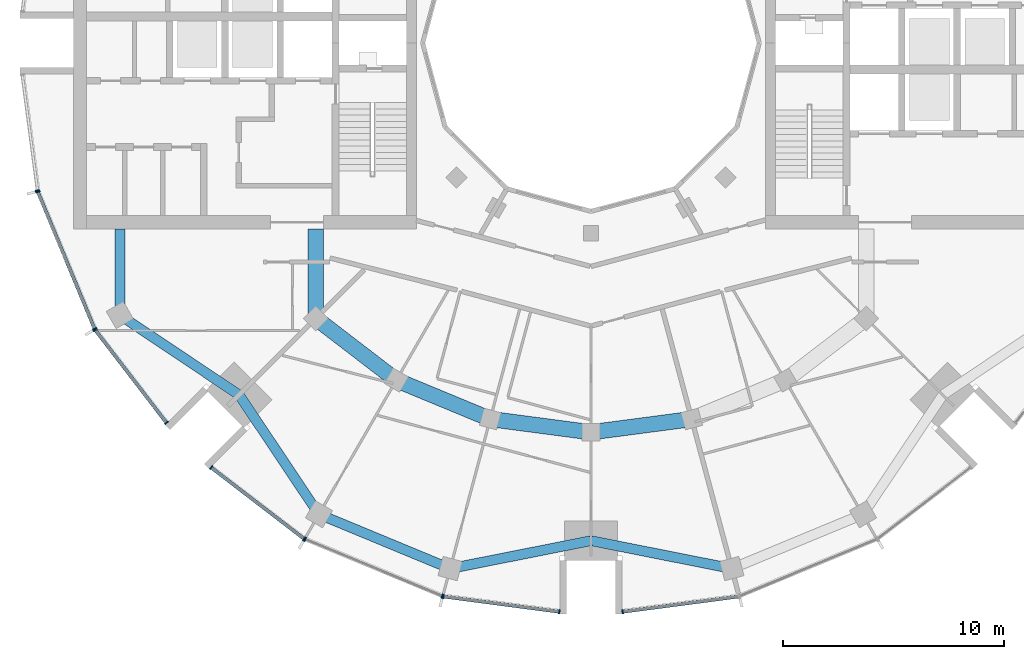
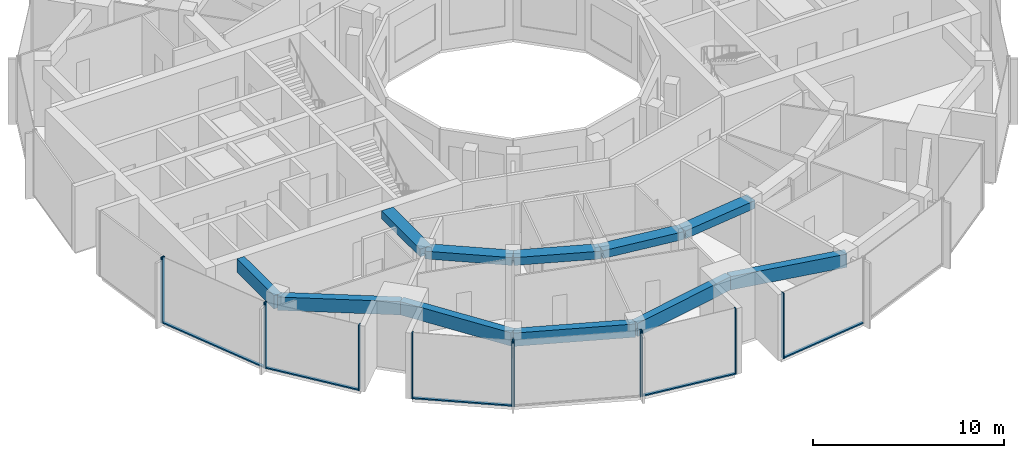
# One storey, part 2 of 15: 17 members, 11 beams, 7 elements without a shape of their own.
"""IFC4 building model written with IfcOpenShell, lengths in metres."""

from ifc_helpers import new_model, si_unit, direction, frame, origin, origin_2d, place, context, subcontext, project, spatial, rectangle, extrude, material, layer, layer_set, material_profile, profile_set, type_object, element, aggregate, save


model = new_model("IFC4")

# Units and contexts
model_context = context("Model", 3, precision=1e-05, world=origin(), true_north=direction((0.0, 1.0)))
body_context = subcontext(model_context, "Body", "Model", "MODEL_VIEW")
ifc_project = project(units=[si_unit("LENGTHUNIT", "METRE"), si_unit("AREAUNIT", "SQUARE_METRE"), si_unit("VOLUMEUNIT", "CUBIC_METRE"), si_unit("PLANEANGLEUNIT", "RADIAN"), si_unit("MASSUNIT", "GRAM", prefix="KILO")], contexts=[model_context])

# Site, building, storey
site_placement = place(None, origin())
site = spatial("IfcSite", under=ifc_project, at=site_placement, CompositionType="ELEMENT")
building_placement = place(site_placement, origin())
building = spatial("IfcBuilding", under=site, at=building_placement, Name="Torre Brocal", CompositionType="ELEMENT")
storey_placement = place(building_placement, frame((0.0, 0.0, 249.89990234375)))
storey = spatial("IfcBuildingStorey", under=building, at=storey_placement, Name="L57", CompositionType="ELEMENT", Elevation=249.89990234375)

# Curtain wall, members
ifc_material_1 = material(Name="Aluminium and glass", Category="aluminium")
ifc_layer_1 = layer(ifc_material_1, 0.199951171875)
ifc_layer_set_1 = layer_set([ifc_layer_1], Name="Aluminium and glass")
curtain_wall_type_1 = type_object("IfcCurtainWallType", Name="CW-1 CURTAIN WALL 4200 HIGH", PredefinedType="NOTDEFINED", material=ifc_layer_set_1)
curtain_wall_1_placement = place(storey_placement, origin())
curtain_wall_1 = element("IfcCurtainWall", 1, at=curtain_wall_1_placement, inside=storey, type_object=curtain_wall_type_1, Name="CW-1 RUN 14", PredefinedType="NOTDEFINED")
ifc_material_2 = material(Name="Aluminium, dark anodised", Category="aluminium")
ifc_material_profile_1 = material_profile(ifc_material_2, rectangle(XDim=0.199951171875, YDim=0.06005859375, at=origin_2d()), Name="CW-1 MULLION 60X200")
ifc_profile_set_1 = profile_set([ifc_material_profile_1], Name="Aluminium, dark anodised")
member_type_1 = type_object("IfcMemberType", Name="CW-1 MULLION 60X200", PredefinedType="MULLION", material=ifc_profile_set_1)
member_1_placement = place(storey_placement, frame((54.994873046875, 68.26904296875, 0.0), z_axis=(0.0, 0.0, 1.0), x_axis=(0.923879532525, 0.382683432333, 0.0)))
member_1 = element("IfcMember", 2, at=member_1_placement, type_object=member_type_1, Name="CW1-5 mullion 1", PredefinedType="MULLION", context=body_context, shape_type="SweptSolid", body=[
    extrude(rectangle(XDim=0.199951171875, YDim=0.06005859375, at=origin_2d()), origin(), (0.0, 0.0, 1.0), 4.2001953125),
])
member_2_placement = place(storey_placement, frame((57.559326171875, 62.078125, 0.0), z_axis=(0.0, 0.0, 1.0), x_axis=(0.923879532525, 0.382683432333, 0.0)))
member_2 = element("IfcMember", 3, at=member_2_placement, type_object=member_type_1, Name="CW1-5 mullion 2", PredefinedType="MULLION", context=body_context, shape_type="SweptSolid", body=[
    extrude(rectangle(XDim=0.199951171875, YDim=0.06005859375, at=origin_2d()), origin(), (0.0, 0.0, 1.0), 4.2001953125),
])

curtain_wall_2_placement = place(storey_placement, origin())
curtain_wall_2 = element("IfcCurtainWall", 4, at=curtain_wall_2_placement, inside=storey, type_object=curtain_wall_type_1, Name="CW-1 RUN 15", PredefinedType="NOTDEFINED")
member_3_placement = place(storey_placement, frame((57.5888671875, 62.026611328125, 0.0), z_axis=(0.0, 0.0, 1.0), x_axis=(0.793353340259, 0.60876142905, 0.0)))
member_3 = element("IfcMember", 5, at=member_3_placement, type_object=member_type_1, Name="CW1-5 mullion 1", PredefinedType="MULLION", context=body_context, shape_type="SweptSolid", body=[
    extrude(rectangle(XDim=0.199951171875, YDim=0.06005859375, at=origin_2d()), origin(), (0.0, 0.0, 1.0), 4.2001953125),
])
member_4_placement = place(storey_placement, frame((60.80859375, 57.83056640625, 0.0), z_axis=(0.0, 0.0, 1.0), x_axis=(0.793353340259, 0.60876142905, 0.0)))
member_4 = element("IfcMember", 6, at=member_4_placement, type_object=member_type_1, Name="CW1-5 mullion 2", PredefinedType="MULLION", context=body_context, shape_type="SweptSolid", body=[
    extrude(rectangle(XDim=0.199951171875, YDim=0.06005859375, at=origin_2d()), origin(), (0.0, 0.0, 1.0), 4.2001953125),
])

curtain_wall_3_placement = place(storey_placement, origin())
curtain_wall_3 = element("IfcCurtainWall", 7, at=curtain_wall_3_placement, inside=storey, type_object=curtain_wall_type_1, Name="CW-1 RUN 16", PredefinedType="NOTDEFINED")
member_5_placement = place(storey_placement, frame((62.83056640625, 55.80859375, 0.0), z_axis=(0.0, 0.0, 1.0), x_axis=(0.60876142905, 0.793353340259, 0.0)))
member_5 = element("IfcMember", 8, at=member_5_placement, type_object=member_type_1, Name="CW1-5 mullion 1", PredefinedType="MULLION", context=body_context, shape_type="SweptSolid", body=[
    extrude(rectangle(XDim=0.199951171875, YDim=0.06005859375, at=origin_2d()), origin(), (0.0, 0.0, 1.0), 4.2001953125),
])
member_6_placement = place(storey_placement, frame((67.026611328125, 52.5888671875, 0.0), z_axis=(0.0, 0.0, 1.0), x_axis=(0.60876142905, 0.793353340259, 0.0)))
member_6 = element("IfcMember", 9, at=member_6_placement, type_object=member_type_1, Name="CW1-5 mullion 2", PredefinedType="MULLION", context=body_context, shape_type="SweptSolid", body=[
    extrude(rectangle(XDim=0.199951171875, YDim=0.06005859375, at=origin_2d()), origin(), (0.0, 0.0, 1.0), 4.2001953125),
])

curtain_wall_4_placement = place(storey_placement, origin())
curtain_wall_4 = element("IfcCurtainWall", 10, at=curtain_wall_4_placement, inside=storey, type_object=curtain_wall_type_1, Name="CW-1 RUN 17", PredefinedType="NOTDEFINED")
member_7_placement = place(storey_placement, frame((67.078125, 52.559326171875, 0.0), z_axis=(0.0, 0.0, 1.0), x_axis=(0.382683432333, 0.923879532525, 0.0)))
member_7 = element("IfcMember", 11, at=member_7_placement, type_object=member_type_1, Name="CW1-5 mullion 1", PredefinedType="MULLION", context=body_context, shape_type="SweptSolid", body=[
    extrude(rectangle(XDim=0.199951171875, YDim=0.06005859375, at=origin_2d()), origin(), (0.0, 0.0, 1.0), 4.2001953125),
])
member_8_placement = place(storey_placement, frame((73.26904296875, 49.994873046875, 0.0), z_axis=(0.0, 0.0, 1.0), x_axis=(0.382683432333, 0.923879532525, 0.0)))
member_8 = element("IfcMember", 12, at=member_8_placement, type_object=member_type_1, Name="CW1-5 mullion 2", PredefinedType="MULLION", context=body_context, shape_type="SweptSolid", body=[
    extrude(rectangle(XDim=0.199951171875, YDim=0.06005859375, at=origin_2d()), origin(), (0.0, 0.0, 1.0), 4.2001953125),
])
aggregate(curtain_wall_4, [member_7, member_8])

curtain_wall_5_placement = place(storey_placement, origin())
curtain_wall_5 = element("IfcCurtainWall", 13, at=curtain_wall_5_placement, inside=storey, type_object=curtain_wall_type_1, Name="CW-1 RUN 18", PredefinedType="NOTDEFINED")
member_9_placement = place(storey_placement, frame((73.32666015625, 49.9794921875, 0.0), z_axis=(0.0, 0.0, 1.0), x_axis=(0.13052619222, 0.991444861374, 0.0)))
member_9 = element("IfcMember", 14, at=member_9_placement, type_object=member_type_1, Name="CW1-5 mullion 1", PredefinedType="MULLION", context=body_context, shape_type="SweptSolid", body=[
    extrude(rectangle(XDim=0.199951171875, YDim=0.06005859375, at=origin_2d()), origin(), (0.0, 0.0, 1.0), 4.2001953125),
])
member_10_placement = place(storey_placement, frame((78.5703125, 49.2890625, 0.0), z_axis=(0.0, 0.0, 1.0), x_axis=(0.13052619222, 0.991444861374, 0.0)))
member_10 = element("IfcMember", 15, at=member_10_placement, type_object=member_type_1, Name="CW1-5 mullion 2", PredefinedType="MULLION", context=body_context, shape_type="SweptSolid", body=[
    extrude(rectangle(XDim=0.199951171875, YDim=0.06005859375, at=origin_2d()), origin(), (0.0, 0.0, 1.0), 4.2001953125),
])

# Curtain wall, member
curtain_wall_6_placement = place(storey_placement, origin())
curtain_wall_6 = element("IfcCurtainWall", 16, at=curtain_wall_6_placement, inside=storey, type_object=curtain_wall_type_1, Name="CW-1 RUN 19", PredefinedType="NOTDEFINED")
member_11_placement = place(storey_placement, frame((81.4296875, 49.2890625, 0.0), z_axis=(0.0, 0.0, 1.0), x_axis=(-0.13052619222, 0.991444861374, 0.0)))
member_11 = element("IfcMember", 17, at=member_11_placement, type_object=member_type_1, Name="CW1-5 mullion 1", PredefinedType="MULLION", context=body_context, shape_type="SweptSolid", body=[
    extrude(rectangle(XDim=0.199951171875, YDim=0.06005859375, at=origin_2d()), origin(), (0.0, 0.0, 1.0), 4.2001953125),
])

# Member
ifc_material_3 = material(Name="Aluminium, dark anodised", Category="aluminium")
ifc_material_profile_2 = material_profile(ifc_material_3, rectangle(XDim=0.159912109375, YDim=0.080078125, at=origin_2d()), Name="CW-1 TRANSOM 160X80")
ifc_profile_set_2 = profile_set([ifc_material_profile_2], Name="Aluminium, dark anodised")
member_type_2 = type_object("IfcMemberType", Name="CW-1 TRANSOM 160X80", PredefinedType="USERDEFINED", material=ifc_profile_set_2)
member_12_placement = place(storey_placement, frame((55.00634765625, 68.241455078125, 0.0400390625), z_axis=(0.38266457234, -0.923887344364, 0.0), x_axis=(0.923887344364, 0.38266457234, 0.0)))
member_12 = element("IfcMember", 18, at=member_12_placement, type_object=member_type_2, Name="CW1-5 transom 1.1", ObjectType="TRANSOM", PredefinedType="USERDEFINED", context=body_context, shape_type="SweptSolid", body=[
    extrude(rectangle(XDim=0.159912109375, YDim=0.080078125, at=origin_2d()), origin(), (0.0, 0.0, 1.0), 6.640869140625),
])

aggregate(curtain_wall_1, [member_1, member_2, member_12])

member_13_placement = place(storey_placement, frame((57.607177734375, 62.0029296875, 0.0400390625), z_axis=(0.60874908096, -0.79336281513, 0.0), x_axis=(0.79336281513, 0.60874908096, 0.0)))
member_13 = element("IfcMember", 19, at=member_13_placement, type_object=member_type_2, Name="CW1-5 transom 1.1", ObjectType="TRANSOM", PredefinedType="USERDEFINED", context=body_context, shape_type="SweptSolid", body=[
    extrude(rectangle(XDim=0.159912109375, YDim=0.080078125, at=origin_2d()), origin(), (0.0, 0.0, 1.0), 5.22900390625),
])

aggregate(curtain_wall_2, [member_3, member_4, member_13])

member_14_placement = place(storey_placement, frame((62.8544921875, 55.790283203125, 0.0400390625), z_axis=(0.79336281513, -0.60874908096, 0.0), x_axis=(0.60874908096, 0.79336281513, 0.0)))
member_14 = element("IfcMember", 20, at=member_14_placement, type_object=member_type_2, Name="CW1-5 transom 1.1", ObjectType="TRANSOM", PredefinedType="USERDEFINED", context=body_context, shape_type="SweptSolid", body=[
    extrude(rectangle(XDim=0.159912109375, YDim=0.080078125, at=origin_2d()), origin(), (0.0, 0.0, 1.0), 5.22900390625),
])

aggregate(curtain_wall_3, [member_5, member_6, member_14])

member_15_placement = place(storey_placement, frame((73.356201171875, 49.9755859375, 0.0400390625), z_axis=(0.991442690863, -0.130542677827, 0.0), x_axis=(0.130542677827, 0.991442690863, 0.0)))
member_15 = element("IfcMember", 21, at=member_15_placement, type_object=member_type_2, Name="CW1-5 transom 1.1", ObjectType="TRANSOM", PredefinedType="USERDEFINED", context=body_context, shape_type="SweptSolid", body=[
    extrude(rectangle(XDim=0.159912109375, YDim=0.080078125, at=origin_2d()), origin(), (0.0, 0.0, 1.0), 5.22900390625),
])

aggregate(curtain_wall_5, [member_9, member_10, member_15])

member_16_placement = place(storey_placement, frame((81.45947265625, 49.29296875, 0.0400390625), z_axis=(0.991442690863, 0.130542677827, 0.0), x_axis=(-0.130542677827, 0.991442690863, 0.0)))
member_16 = element("IfcMember", 22, at=member_16_placement, type_object=member_type_2, Name="CW1-5 transom 1.1", ObjectType="TRANSOM", PredefinedType="USERDEFINED", context=body_context, shape_type="SweptSolid", body=[
    extrude(rectangle(XDim=0.159912109375, YDim=0.080078125, at=origin_2d()), origin(), (0.0, 0.0, 1.0), 5.22900390625),
])

aggregate(curtain_wall_6, [member_11, member_16])

# Curtain wall, member
ifc_material_4 = material(Name="Aluminium and glass", Category="aluminium")
ifc_layer_2 = layer(ifc_material_4, 0.199951171875)
ifc_layer_set_2 = layer_set([ifc_layer_2], Name="Aluminium and glass")
curtain_wall_type_2 = type_object("IfcCurtainWallType", Name="CW-1B CURTAIN WALL 4200 HIGH", PredefinedType="NOTDEFINED", material=ifc_layer_set_2)
curtain_wall_7_placement = place(storey_placement, origin())
curtain_wall_7 = element("IfcCurtainWall", 23, at=curtain_wall_7_placement, inside=storey, type_object=curtain_wall_type_2, Name="CW-1B RUN 13", PredefinedType="NOTDEFINED")
ifc_material_5 = material(Name="Aluminium, dark anodised", Category="aluminium")
ifc_material_profile_3 = material_profile(ifc_material_5, rectangle(XDim=0.199951171875, YDim=0.06005859375, at=origin_2d()), Name="CW-1B MULLION 60X200")
ifc_profile_set_3 = profile_set([ifc_material_profile_3], Name="Aluminium, dark anodised")
member_type_3 = type_object("IfcMemberType", Name="CW-1B MULLION 60X200", PredefinedType="MULLION", material=ifc_profile_set_3)
member_17_placement = place(storey_placement, frame((54.9794921875, 68.32666015625, 0.0), z_axis=(0.0, 0.0, 1.0), x_axis=(0.991444861374, 0.13052619222, 0.0)))
member_17 = element("IfcMember", 24, at=member_17_placement, type_object=member_type_3, Name="CW1B-5 mullion 2", PredefinedType="MULLION", context=body_context, shape_type="SweptSolid", body=[
    extrude(rectangle(XDim=0.199951171875, YDim=0.06005859375, at=origin_2d()), origin(), (0.0, 0.0, 1.0), 4.2001953125),
])
aggregate(curtain_wall_7, [member_17])

# Beams
ifc_material_6 = material(Name="Concrete C50", Category="concrete")
ifc_material_profile_4 = material_profile(ifc_material_6, rectangle(XDim=0.699951171875, YDim=0.5, at=origin_2d()), Name="RC 700X500")
ifc_profile_set_4 = profile_set([ifc_material_profile_4], Name="Concrete C50")
beam_type_1 = type_object("IfcBeamType", Name="RC BEAM 700X500 C50 TOP 3880", PredefinedType="BEAM", material=ifc_profile_set_4)
beam_1_placement = place(storey_placement, frame((67.554931640625, 62.554931640625, 3.630126953125), z_axis=(0.0, 1.0, 0.0), x_axis=(-1.0, 0.0, 0.0)))
element("IfcBeam", 25, at=beam_1_placement, inside=storey, type_object=beam_type_1, Name="Beam BT-37", PredefinedType="BEAM", context=body_context, shape_type="SweptSolid", body=[
    extrude(rectangle(XDim=0.699951171875, YDim=0.5, at=origin_2d()), origin(), (0.0, 0.0, 1.0), 4.045166015625),
])
beam_2_placement = place(storey_placement, frame((67.554931640625, 62.554931640625, 3.630126953125), z_axis=(0.793358265959, -0.6087550097, 0.0), x_axis=(0.6087550097, 0.793358265959, 0.0)))
element("IfcBeam", 26, at=beam_2_placement, inside=storey, type_object=beam_type_1, Name="Beam BT-37", PredefinedType="BEAM", context=body_context, shape_type="SweptSolid", body=[
    extrude(rectangle(XDim=0.699951171875, YDim=0.5, at=origin_2d()), origin(), (0.0, 0.0, 1.0), 4.594482421875),
])
beam_3_placement = place(storey_placement, frame((71.199951171875, 59.758056640625, 3.630126953125), z_axis=(0.923878240166, -0.382686552348, 0.0), x_axis=(0.382686552348, 0.923878240166, 0.0)))
element("IfcBeam", 27, at=beam_3_placement, inside=storey, type_object=beam_type_1, Name="Beam BT-37", PredefinedType="BEAM", context=body_context, shape_type="SweptSolid", body=[
    extrude(rectangle(XDim=0.699951171875, YDim=0.5, at=origin_2d()), origin(), (0.0, 0.0, 1.0), 4.5947265625),
])
for number, where, z_axis, x_axis, name in (
    (28, (75.44482421875, 57.999755859375, 3.630126953125), (0.991440544449, -0.130558978332, 0.0), (0.130558978332, 0.991440544449, 0.0), "Beam BT-37"),
    (29, (80.0, 57.39990234375, 3.630126953125), (0.991440544449, 0.130558978332, 0.0), (-0.130558978332, 0.991440544449, 0.0), "Beam BT-37"),
):
    element("IfcBeam", number, at=place(storey_placement, frame(where, z_axis=z_axis, x_axis=x_axis)), inside=storey, type_object=beam_type_1, Name=name, PredefinedType="BEAM", context=body_context, shape_type="SweptSolid", body=[
        extrude(rectangle(XDim=0.699951171875, YDim=0.5, at=origin_2d()), origin(), (0.0, 0.0, 1.0), 4.594482421875),
    ])
ifc_material_7 = material(Name="Concrete C50", Category="concrete")
ifc_material_profile_5 = material_profile(ifc_material_7, rectangle(XDim=0.449951171875, YDim=0.85009765625, at=origin_2d()), Name="RC 450X850")
ifc_profile_set_5 = profile_set([ifc_material_profile_5], Name="Concrete C50")
beam_type_2 = type_object("IfcBeamType", Name="RC SPANDREL BEAM 450X850 C50 TOP 3880", PredefinedType="SPANDREL", material=ifc_profile_set_5)
beam_4_placement = place(storey_placement, frame((58.69580078125, 62.699951171875, 3.455078125), z_axis=(0.0, 1.0, 0.0), x_axis=(-1.0, 0.0, 0.0)))
element("IfcBeam", 30, at=beam_4_placement, inside=storey, type_object=beam_type_2, Name="Beam BT-38", PredefinedType="SPANDREL", context=body_context, shape_type="SweptSolid", body=[
    extrude(rectangle(XDim=0.449951171875, YDim=0.85009765625, at=origin_2d()), origin(), (0.0, 0.0, 1.0), 3.900146484375),
])
for number, where, z_axis, x_axis, name in (
    (31, (58.69580078125, 62.699951171875, 3.455078125), (0.831076844476, -0.556157602282, 0.0), (0.556157602282, 0.831076844476, 0.0), "Beam BT-38"),
    (32, (64.090087890625, 59.090087890625, 3.455078125), (0.556157602282, -0.831076844476, 0.0), (0.831076844476, 0.556157602282, 0.0), "Beam BT-38"),
):
    element("IfcBeam", number, at=place(storey_placement, frame(where, z_axis=z_axis, x_axis=x_axis)), inside=storey, type_object=beam_type_2, Name=name, PredefinedType="SPANDREL", context=body_context, shape_type="SweptSolid", body=[
        extrude(rectangle(XDim=0.449951171875, YDim=0.85009765625, at=origin_2d()), origin(), (0.0, 0.0, 1.0), 6.49072265625),
    ])
beam_5_placement = place(storey_placement, frame((67.699951171875, 53.69580078125, 3.455078125), z_axis=(0.923882462513, -0.382676358639, 0.0), x_axis=(0.382676358639, 0.923882462513, 0.0)))
element("IfcBeam", 33, at=beam_5_placement, inside=storey, type_object=beam_type_2, Name="Beam BT-38", PredefinedType="SPANDREL", context=body_context, shape_type="SweptSolid", body=[
    extrude(rectangle(XDim=0.449951171875, YDim=0.85009765625, at=origin_2d()), origin(), (0.0, 0.0, 1.0), 6.421875),
])
for number, where, z_axis, x_axis, name in (
    (34, (73.633056640625, 51.23828125, 3.455078125), (0.980924907484, 0.194387051723, 0.0), (-0.194387051723, 0.980924907484, 0.0), "Beam BT-38"),
    (35, (80.0, 52.5, 3.455078125), (0.980924907484, -0.194387051723, 0.0), (0.194387051723, 0.980924907484, 0.0), "Beam BT-38"),
):
    element("IfcBeam", number, at=place(storey_placement, frame(where, z_axis=z_axis, x_axis=x_axis)), inside=storey, type_object=beam_type_2, Name=name, PredefinedType="SPANDREL", context=body_context, shape_type="SweptSolid", body=[
        extrude(rectangle(XDim=0.449951171875, YDim=0.85009765625, at=origin_2d()), origin(), (0.0, 0.0, 1.0), 6.49072265625),
    ])

save(model, "model.ifc")
